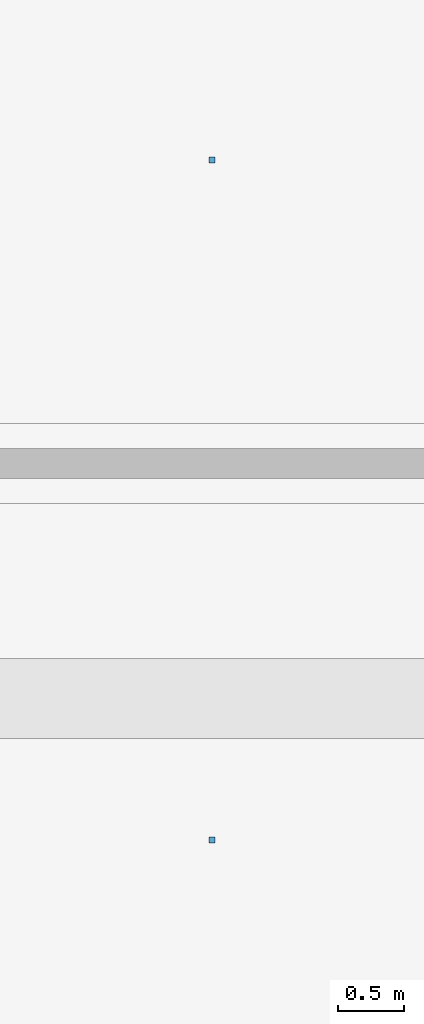
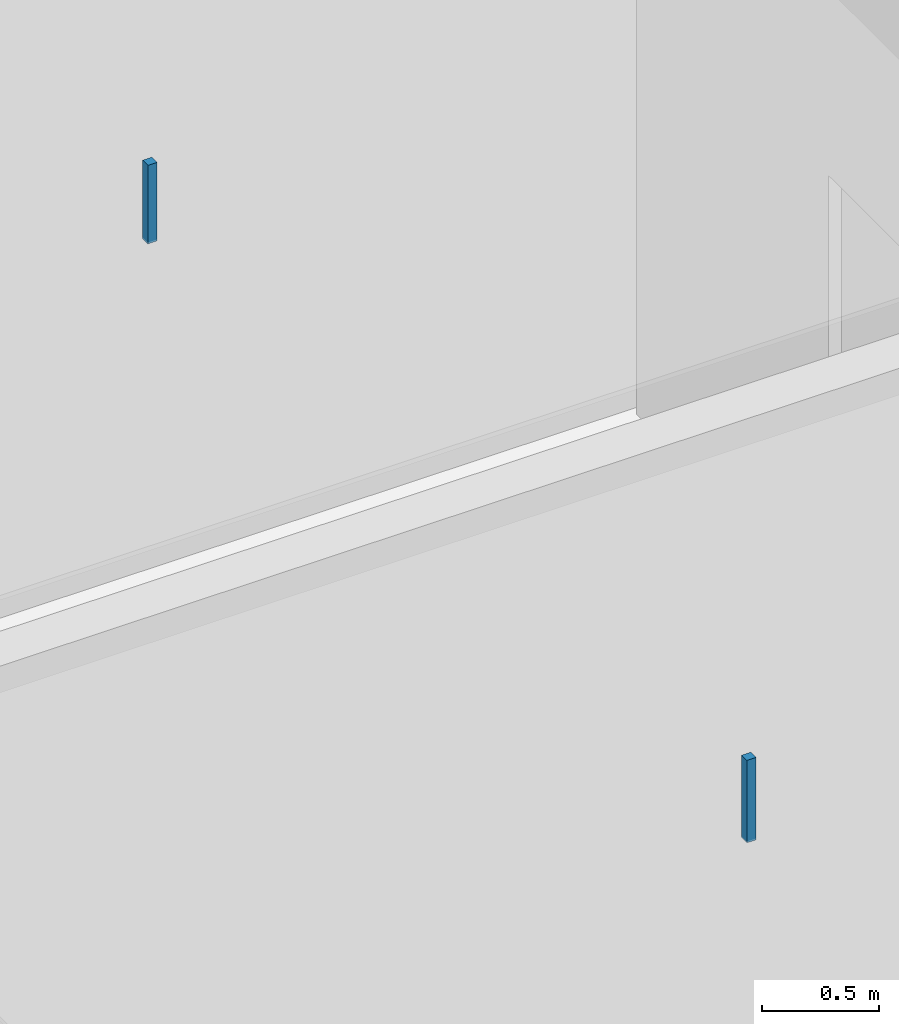
# One storey, part 59 of 85: 2 discrete accessories.
"""IFC4 building model written with IfcOpenShell, lengths in metres."""

from ifc_helpers import new_model, si_unit, derived_unit, direction, frame, origin, origin_2d, place, context, subcontext, project, spatial, rectangle, extrude, material, type_object, element, save


model = new_model("IFC4")

# Units and contexts
model_context = context("Model", 3, precision=1e-05, world=origin(), true_north=direction((0.0, 1.0)))
body_context = subcontext(model_context, "Body", "Model", "MODEL_VIEW")
ifc_project = project(units=[si_unit("LENGTHUNIT", "METRE"), si_unit("AREAUNIT", "SQUARE_METRE"), si_unit("VOLUMEUNIT", "CUBIC_METRE"), si_unit("PLANEANGLEUNIT", "RADIAN"), si_unit("MASSUNIT", "GRAM", prefix="KILO"), derived_unit("THERMALTRANSMITTANCEUNIT", [(si_unit("POWERUNIT", "WATT"), 1), (si_unit("LENGTHUNIT", "METRE"), -2), (si_unit("THERMODYNAMICTEMPERATUREUNIT", "KELVIN"), -1)])], contexts=[model_context])

# Site, building, storey
site_placement = place(None, origin())
site = spatial("IfcSite", under=ifc_project, at=site_placement, CompositionType="ELEMENT")
building_placement = place(site_placement, origin())
building = spatial("IfcBuilding", under=site, at=building_placement, Name="Braskholm Square Health Centre", CompositionType="ELEMENT")
storey_placement = place(building_placement, frame((0.0, 0.0, 9.300048828125)))
storey = spatial("IfcBuildingStorey", under=building, at=storey_placement, Name="L03", CompositionType="ELEMENT", Elevation=9.300048828125)

# Discrete accessories
ifc_material = material(Name="Steel ASTM A500 Grade C", Category="steel")
discrete_accessory_type = type_object("IfcDiscreteAccessoryType", Name="CeilingSuspensionBracket", PredefinedType="BRACKET", material=ifc_material)
discrete_accessory_1_placement = place(storey_placement, frame((8.06005859375, 62.735107421875, 3.48193359375), z_axis=(0.0, 0.0, 1.0), x_axis=(1.0, 0.0, 0.0)))
element("IfcDiscreteAccessory", 1, at=discrete_accessory_1_placement, inside=storey, type_object=discrete_accessory_type, Name="Ceiling hanger bracket 0047", PredefinedType="BRACKET", context=body_context, shape_type="SweptSolid", body=[
    extrude(rectangle(XDim=0.044921875, YDim=0.044921875, at=origin_2d()), origin(), (0.0, 0.0, 1.0), 0.429931640625),
])
discrete_accessory_2_placement = place(storey_placement, frame((8.06005859375, 67.85498046875, 3.501953125), z_axis=(0.0, 0.0, 1.0), x_axis=(1.0, 0.0, 0.0)))
element("IfcDiscreteAccessory", 2, at=discrete_accessory_2_placement, inside=storey, type_object=discrete_accessory_type, Name="Ceiling hanger bracket 0048", PredefinedType="BRACKET", context=body_context, shape_type="SweptSolid", body=[
    extrude(rectangle(XDim=0.044921875, YDim=0.044921875, at=origin_2d()), origin(), (0.0, 0.0, 1.0), 0.409912109375),
])

save(model, "model.ifc")
